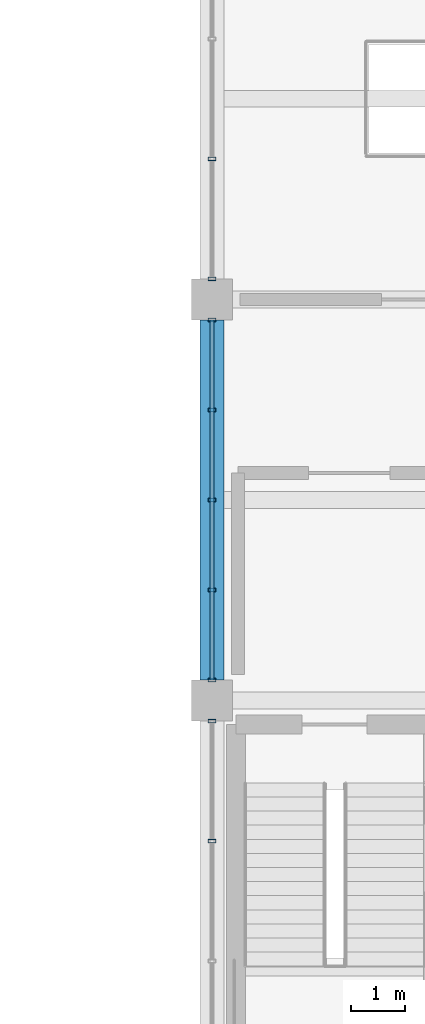
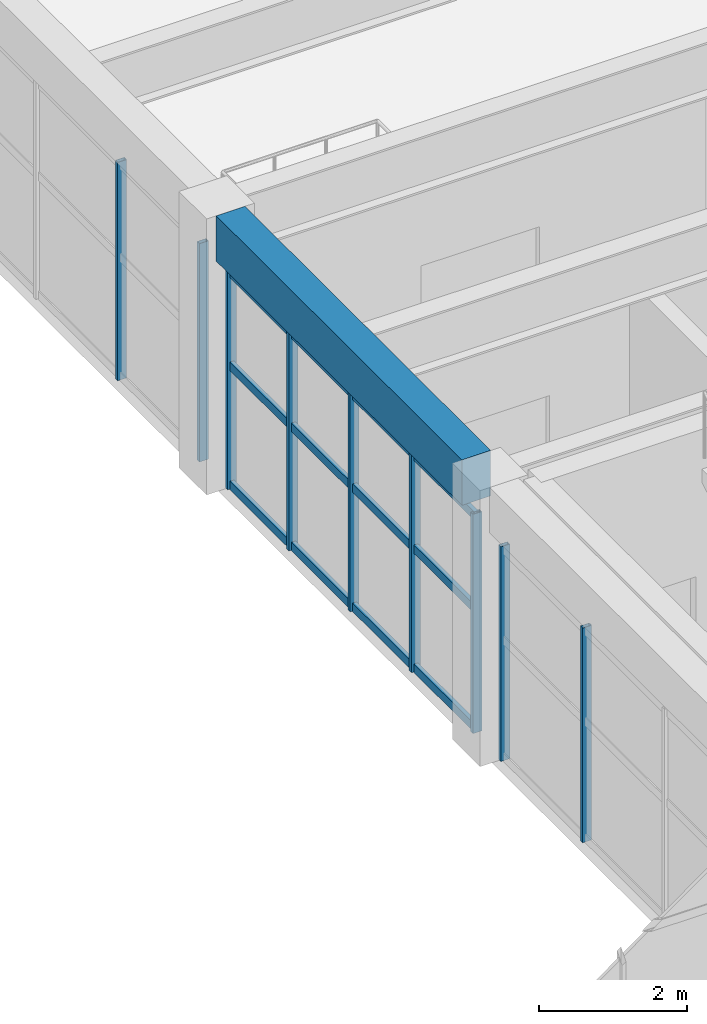
# One storey, part 84 of 161: 12 members, 1 beam, 3 elements without a shape of their own.
"""IFC4 building model written with IfcOpenShell, lengths in metres."""

from ifc_helpers import new_model, si_unit, direction, frame, origin, origin_2d, place, context, subcontext, project, spatial, rectangle, hollow_rectangle, extrude, material, material_profile, profile_set, type_object, element, aggregate, save


model = new_model("IFC4")

# Units and contexts
model_context = context("Model", 3, precision=1e-05, world=origin(), true_north=direction((0.0, 1.0)))
body_context = subcontext(model_context, "Body", "Model", "MODEL_VIEW")
ifc_project = project(units=[si_unit("LENGTHUNIT", "METRE"), si_unit("AREAUNIT", "SQUARE_METRE"), si_unit("VOLUMEUNIT", "CUBIC_METRE"), si_unit("PLANEANGLEUNIT", "RADIAN"), si_unit("MASSUNIT", "GRAM", prefix="KILO")], contexts=[model_context])

# Site, building, storey
site_placement = place(None, origin())
site = spatial("IfcSite", under=ifc_project, at=site_placement, CompositionType="ELEMENT")
building_placement = place(site_placement, origin())
building = spatial("IfcBuilding", under=site, at=building_placement, Name="Cimatlan Art Gallery", CompositionType="ELEMENT")
storey_placement = place(building_placement, frame((0.0, 0.0, 5.39990234375)))
storey = spatial("IfcBuildingStorey", under=building, at=storey_placement, Name="L01", CompositionType="ELEMENT", Elevation=5.39990234375)

# Beam
ifc_material_1 = material(Name="Concrete C40/50", Category="concrete")
ifc_material_profile_1 = material_profile(ifc_material_1, rectangle(XDim=0.449951171875, YDim=0.75, at=origin_2d()), Name="RC450X750")
ifc_profile_set_1 = profile_set([ifc_material_profile_1], Name="Concrete C40/50")
beam_type = type_object("IfcBeamType", Name="BM-RC-450X750", PredefinedType="BEAM", material=ifc_profile_set_1)
beam_placement = place(storey_placement, frame((74.89990234375, 68.675048828125, 4.18505859375), z_axis=(0.0, 1.0, 0.0), x_axis=(-1.0, 0.0, 0.0)))
element("IfcBeam", 1, at=beam_placement, inside=storey, type_object=beam_type, Name="BM-Y-L01-09-09", PredefinedType="BEAM", context=body_context, shape_type="SweptSolid", body=[
    extrude(rectangle(XDim=0.449951171875, YDim=0.75, at=origin_2d()), origin(), (0.0, 0.0, 1.0), 6.64990234375),
])

# Curtain wall, members
ifc_material_2 = material(Name="Anodised bronze unitised curtain wall")
curtain_wall_type_1 = type_object("IfcCurtainWallType", Name="CW-V-06642X03547-B3", PredefinedType="NOTDEFINED", material=ifc_material_2)
curtain_wall_1_placement = place(storey_placement, origin())
curtain_wall_1 = element("IfcCurtainWall", 2, at=curtain_wall_1_placement, inside=storey, type_object=curtain_wall_type_1, Name="CW-L01-09-08-W", PredefinedType="NOTDEFINED")
ifc_material_3 = material(Name="Anodised bronze aluminium 6063-T6", Category="aluminium")
ifc_material_profile_2 = material_profile(ifc_material_3, hollow_rectangle(XDim=0.06494140625, YDim=0.139892578125, WallThickness=0.00390625, at=origin_2d()), Name="ALU65X140X4")
ifc_profile_set_2 = profile_set([ifc_material_profile_2], Name="Anodised bronze aluminium 6063-T6")
member_type_1 = type_object("IfcMemberType", Name="CW-MUL-140", PredefinedType="MULLION", material=ifc_profile_set_2)
member_1_placement = place(storey_placement, frame((74.89990234375, 65.70703125, 0.0), z_axis=(0.0, 0.0, 1.0), x_axis=(0.0, 1.0, 0.0)))
member_1 = element("IfcMember", 3, at=member_1_placement, type_object=member_type_1, Name="CW-L01-09-08-W-M3", PredefinedType="MULLION", context=body_context, shape_type="SweptSolid", body=[
    extrude(hollow_rectangle(XDim=0.06494140625, YDim=0.139892578125, WallThickness=0.00390625, at=origin_2d()), origin(), (0.0, 0.0, 1.0), 3.547119140625),
])
member_2_placement = place(storey_placement, frame((74.89990234375, 67.9208984375, 0.0), z_axis=(0.0, 0.0, 1.0), x_axis=(0.0, 1.0, 0.0)))
member_2 = element("IfcMember", 4, at=member_2_placement, type_object=member_type_1, Name="CW-L01-09-08-W-M4", PredefinedType="MULLION", context=body_context, shape_type="SweptSolid", body=[
    extrude(hollow_rectangle(XDim=0.06494140625, YDim=0.139892578125, WallThickness=0.00390625, at=origin_2d()), origin(), (0.0, 0.0, 1.0), 3.547119140625),
])
aggregate(curtain_wall_1, [member_1, member_2])

curtain_wall_type_2 = type_object("IfcCurtainWallType", Name="CW-V-06642X03622-B4", PredefinedType="NOTDEFINED", material=ifc_material_2)
curtain_wall_2_placement = place(storey_placement, origin())
curtain_wall_2 = element("IfcCurtainWall", 5, at=curtain_wall_2_placement, inside=storey, type_object=curtain_wall_type_2, Name="CW-L01-09-09-W", PredefinedType="NOTDEFINED")
member_3_placement = place(storey_placement, frame((74.89990234375, 68.678955078125, 0.0), z_axis=(0.0, 0.0, 1.0), x_axis=(0.0, 1.0, 0.0)))
member_3 = element("IfcMember", 6, at=member_3_placement, type_object=member_type_1, Name="CW-L01-09-09-W-M1", PredefinedType="MULLION", context=body_context, shape_type="SweptSolid", body=[
    extrude(hollow_rectangle(XDim=0.06494140625, YDim=0.139892578125, WallThickness=0.00390625, at=origin_2d()), origin(), (0.0, 0.0, 1.0), 3.6220703125),
])
member_4_placement = place(storey_placement, frame((74.89990234375, 70.339599609375, 0.0), z_axis=(0.0, 0.0, 1.0), x_axis=(0.0, 1.0, 0.0)))
member_4 = element("IfcMember", 7, at=member_4_placement, type_object=member_type_1, Name="CW-L01-09-09-W-M2", PredefinedType="MULLION", context=body_context, shape_type="SweptSolid", body=[
    extrude(hollow_rectangle(XDim=0.06494140625, YDim=0.139892578125, WallThickness=0.00390625, at=origin_2d()), origin(), (0.0, 0.0, 1.0), 3.6220703125),
])
member_5_placement = place(storey_placement, frame((74.89990234375, 72.0, 0.0), z_axis=(0.0, 0.0, 1.0), x_axis=(0.0, 1.0, 0.0)))
member_5 = element("IfcMember", 8, at=member_5_placement, type_object=member_type_1, Name="CW-L01-09-09-W-M3", PredefinedType="MULLION", context=body_context, shape_type="SweptSolid", body=[
    extrude(hollow_rectangle(XDim=0.06494140625, YDim=0.139892578125, WallThickness=0.00390625, at=origin_2d()), origin(), (0.0, 0.0, 1.0), 3.6220703125),
])
member_6_placement = place(storey_placement, frame((74.89990234375, 73.660400390625, 0.0), z_axis=(0.0, 0.0, 1.0), x_axis=(0.0, 1.0, 0.0)))
member_6 = element("IfcMember", 9, at=member_6_placement, type_object=member_type_1, Name="CW-L01-09-09-W-M4", PredefinedType="MULLION", context=body_context, shape_type="SweptSolid", body=[
    extrude(hollow_rectangle(XDim=0.06494140625, YDim=0.139892578125, WallThickness=0.00390625, at=origin_2d()), origin(), (0.0, 0.0, 1.0), 3.6220703125),
])
member_7_placement = place(storey_placement, frame((74.89990234375, 75.321044921875, 0.0), z_axis=(0.0, 0.0, 1.0), x_axis=(0.0, 1.0, 0.0)))
member_7 = element("IfcMember", 10, at=member_7_placement, type_object=member_type_1, Name="CW-L01-09-09-W-M5", PredefinedType="MULLION", context=body_context, shape_type="SweptSolid", body=[
    extrude(hollow_rectangle(XDim=0.06494140625, YDim=0.139892578125, WallThickness=0.00390625, at=origin_2d()), origin(), (0.0, 0.0, 1.0), 3.6220703125),
])

curtain_wall_type_3 = type_object("IfcCurtainWallType", Name="CW-V-06642X03607-B3", PredefinedType="NOTDEFINED", material=ifc_material_2)
curtain_wall_3_placement = place(storey_placement, origin())
curtain_wall_3 = element("IfcCurtainWall", 11, at=curtain_wall_3_placement, inside=storey, type_object=curtain_wall_type_3, Name="CW-L01-09-10-W", PredefinedType="NOTDEFINED")
member_8_placement = place(storey_placement, frame((74.89990234375, 76.0791015625, 0.0), z_axis=(0.0, 0.0, 1.0), x_axis=(0.0, 1.0, 0.0)))
member_8 = element("IfcMember", 12, at=member_8_placement, type_object=member_type_1, Name="CW-L01-09-10-W-M1", PredefinedType="MULLION", context=body_context, shape_type="SweptSolid", body=[
    extrude(hollow_rectangle(XDim=0.06494140625, YDim=0.139892578125, WallThickness=0.00390625, at=origin_2d()), origin(), (0.0, 0.0, 1.0), 3.607177734375),
])
member_9_placement = place(storey_placement, frame((74.89990234375, 78.29296875, 0.0), z_axis=(0.0, 0.0, 1.0), x_axis=(0.0, 1.0, 0.0)))
member_9 = element("IfcMember", 13, at=member_9_placement, type_object=member_type_1, Name="CW-L01-09-10-W-M2", PredefinedType="MULLION", context=body_context, shape_type="SweptSolid", body=[
    extrude(hollow_rectangle(XDim=0.06494140625, YDim=0.139892578125, WallThickness=0.00390625, at=origin_2d()), origin(), (0.0, 0.0, 1.0), 3.607177734375),
])
aggregate(curtain_wall_3, [member_8, member_9])

# Member
ifc_material_profile_3 = material_profile(ifc_material_3, hollow_rectangle(XDim=0.06494140625, YDim=0.139892578125, WallThickness=0.00390625, at=origin_2d()), Name="ALU65X140X4")
ifc_profile_set_3 = profile_set([ifc_material_profile_3], Name="Anodised bronze aluminium 6063-T6")
member_type_2 = type_object("IfcMemberType", Name="CW-TRN-140", PredefinedType="USERDEFINED", material=ifc_profile_set_3)
member_10_placement = place(storey_placement, frame((74.89990234375, 68.678955078125, 0.06005859375), z_axis=(0.0, 1.0, 0.0), x_axis=(-1.0, 0.0, 0.0)))
member_10 = element("IfcMember", 14, at=member_10_placement, type_object=member_type_2, Name="CW-L01-09-09-W-T1", ObjectType="TRANSOM", PredefinedType="USERDEFINED", context=body_context, shape_type="SweptSolid", body=[
    extrude(hollow_rectangle(XDim=0.06494140625, YDim=0.139892578125, WallThickness=0.00390625, at=origin_2d()), origin(), (0.0, 0.0, 1.0), 6.64208984375),
])

member_11_placement = place(storey_placement, frame((74.89990234375, 68.678955078125, 2.0283203125), z_axis=(0.0, 1.0, 0.0), x_axis=(-1.0, 0.0, 0.0)))
member_11 = element("IfcMember", 15, at=member_11_placement, type_object=member_type_2, Name="CW-L01-09-09-W-T2", ObjectType="TRANSOM", PredefinedType="USERDEFINED", context=body_context, shape_type="SweptSolid", body=[
    extrude(hollow_rectangle(XDim=0.06494140625, YDim=0.139892578125, WallThickness=0.00390625, at=origin_2d()), origin(), (0.0, 0.0, 1.0), 6.64208984375),
])

member_12_placement = place(storey_placement, frame((74.89990234375, 68.678955078125, 3.56201171875), z_axis=(0.0, 1.0, 0.0), x_axis=(-1.0, 0.0, 0.0)))
member_12 = element("IfcMember", 16, at=member_12_placement, type_object=member_type_2, Name="CW-L01-09-09-W-T3", ObjectType="TRANSOM", PredefinedType="USERDEFINED", context=body_context, shape_type="SweptSolid", body=[
    extrude(hollow_rectangle(XDim=0.06494140625, YDim=0.139892578125, WallThickness=0.00390625, at=origin_2d()), origin(), (0.0, 0.0, 1.0), 6.64208984375),
])

aggregate(curtain_wall_2, [member_3, member_4, member_5, member_6, member_7, member_10, member_11, member_12])

save(model, "model.ifc")
